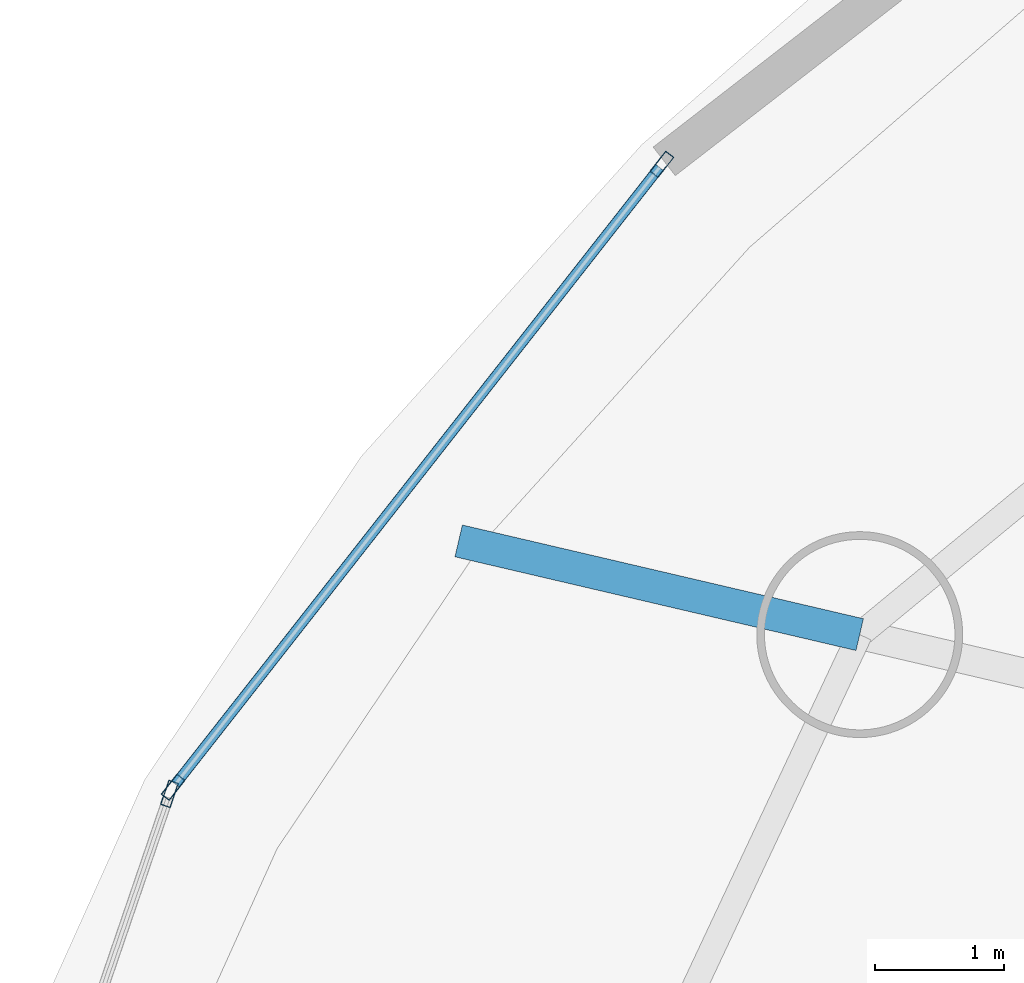
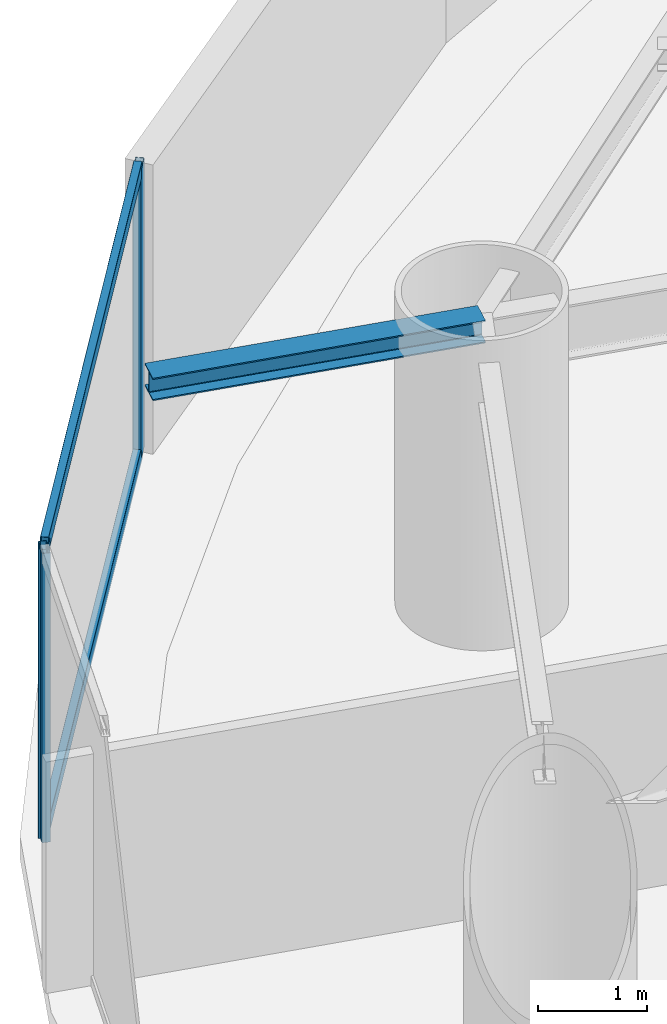
# One storey, part 11 of 23: 5 members, 1 beam, 2 elements without a shape of their own.
"""IFC4 building model written with IfcOpenShell, lengths in metres."""

from ifc_helpers import new_model, si_unit, direction, frame, origin, origin_2d, place, context, subcontext, project, spatial, hollow_rectangle, i_section, extrude, material, layer, layer_set, material_profile, profile_set, type_object, element, aggregate, save


model = new_model("IFC4")

# Units and contexts
model_context = context("Model", 3, precision=1e-05, world=origin(), true_north=direction((0.0, 1.0)))
body_context = subcontext(model_context, "Body", "Model", "MODEL_VIEW")
ifc_project = project(units=[si_unit("LENGTHUNIT", "METRE"), si_unit("AREAUNIT", "SQUARE_METRE"), si_unit("VOLUMEUNIT", "CUBIC_METRE"), si_unit("PLANEANGLEUNIT", "RADIAN"), si_unit("MASSUNIT", "GRAM", prefix="KILO")], contexts=[model_context])

# Site, building, storey
site_placement = place(None, origin())
site = spatial("IfcSite", under=ifc_project, at=site_placement, CompositionType="ELEMENT")
building_placement = place(site_placement, origin())
building = spatial("IfcBuilding", under=site, at=building_placement, Name="Bramvorn Convention Spire", CompositionType="ELEMENT")
storey_placement = place(building_placement, frame((0.0, 0.0, 65.89990234375)))
storey = spatial("IfcBuildingStorey", under=building, at=storey_placement, Name="L14", CompositionType="ELEMENT", Elevation=65.89990234375)

# Beam
ifc_material_1 = material(Name="Steel CSA G40.21 Grade 350 (350W)", Category="steel")
ifc_material_profile_1 = material_profile(ifc_material_1, i_section(OverallWidth=0.25390625, OverallDepth=0.2529296875, WebThickness=0.008544921875, FlangeThickness=0.01416015625, FilletRadius=0.011962890625, at=origin_2d()))
ifc_profile_set_1 = profile_set([ifc_material_profile_1], Name="Steel CSA G40.21 Grade 350 (350W) - W250X73")
beam_type = type_object("IfcBeamType", Name="BM-W250X73", PredefinedType="BEAM", material=ifc_profile_set_1)
beam_placement = place(storey_placement, frame((12.64111328125, 36.746337890625, 3.12353515625), z_axis=(-0.973778145797, 0.227499720367, 0.0), x_axis=(-0.227499720367, -0.973778145797, 0.0)))
element("IfcBeam", 1, at=beam_placement, inside=storey, type_object=beam_type, Name="L14 slab-edge cantilever tip beam MC08", PredefinedType="BEAM", context=body_context, shape_type="SweptSolid", body=[
    extrude(i_section(OverallWidth=0.25390625, OverallDepth=0.2529296875, WebThickness=0.008544921875, FlangeThickness=0.01416015625, FilletRadius=0.011962890625, at=origin_2d()), origin(), (0.0, 0.0, 1.0), 3.2001953125),
])

# Curtain wall, members
ifc_material_2 = material(Name="Anodised Bronze Unitised Curtain Wall", Category="aluminium")
ifc_layer = layer(ifc_material_2, 0.179931640625)
ifc_layer_set = layer_set([ifc_layer], Name="Anodised Bronze Unitised Curtain Wall - CW-HTL-FRIT")
curtain_wall_type = type_object("IfcCurtainWallType", Name="CW-HTL-FRIT", PredefinedType="USERDEFINED", material=ifc_layer_set)
curtain_wall_1_placement = place(storey_placement, origin())
curtain_wall_1 = element("IfcCurtainWall", 2, at=curtain_wall_1_placement, inside=storey, type_object=curtain_wall_type, Name="L14 fritted glass curtain wall 11", ObjectType="UNITISED CURTAIN WALL", PredefinedType="USERDEFINED")
ifc_material_3 = material(Name="Anodised Bronze Aluminium 6063-T6", Category="aluminium")
ifc_material_profile_2 = material_profile(ifc_material_3, hollow_rectangle(XDim=0.080078125, YDim=0.199951171875, WallThickness=0.00390625, InnerFilletRadius=0.0009765625, OuterFilletRadius=0.00390625, at=origin_2d()))
ifc_profile_set_2 = profile_set([ifc_material_profile_2], Name="Anodised Bronze Aluminium 6063-T6 - CWM80X200")
member_type_1 = type_object("IfcMemberType", Name="CW-MUL-180", PredefinedType="MULLION", material=ifc_profile_set_2)
member_1_placement = place(storey_placement, frame((7.30615234375, 35.560302734375, 0.0), z_axis=(0.0, 0.0, 1.0), x_axis=(-0.786700270373, 0.617335147708, 0.0)))
member_1 = element("IfcMember", 3, at=member_1_placement, type_object=member_type_1, Name="CW2 mullion 1", PredefinedType="MULLION", context=body_context, shape_type="SweptSolid", body=[
    extrude(hollow_rectangle(XDim=0.080078125, YDim=0.199951171875, WallThickness=0.00390625, InnerFilletRadius=0.0009765625, OuterFilletRadius=0.00390625, at=origin_2d()), origin(), (0.0, 0.0, 1.0), 3.25),
])
member_2_placement = place(storey_placement, frame((11.10400390625, 40.400146484375, 0.0), z_axis=(0.0, 0.0, 1.0), x_axis=(-0.786700270373, 0.617335147708, 0.0)))
member_2 = element("IfcMember", 4, at=member_2_placement, type_object=member_type_1, Name="CW2 mullion 2", PredefinedType="MULLION", context=body_context, shape_type="SweptSolid", body=[
    extrude(hollow_rectangle(XDim=0.080078125, YDim=0.199951171875, WallThickness=0.00390625, InnerFilletRadius=0.0009765625, OuterFilletRadius=0.00390625, at=origin_2d()), origin(), (0.0, 0.0, 1.0), 3.25),
])

# Curtain wall, member
curtain_wall_2_placement = place(storey_placement, origin())
curtain_wall_2 = element("IfcCurtainWall", 5, at=curtain_wall_2_placement, inside=storey, type_object=curtain_wall_type, Name="L14 fritted glass curtain wall 12", ObjectType="UNITISED CURTAIN WALL", PredefinedType="USERDEFINED")
member_3_placement = place(storey_placement, frame((7.27783203125, 35.50830078125, 0.0), z_axis=(0.0, 0.0, 1.0), x_axis=(-0.94615430856, 0.323715962525, 0.0)))
member_3 = element("IfcMember", 6, at=member_3_placement, type_object=member_type_1, Name="CW2 mullion 2", PredefinedType="MULLION", context=body_context, shape_type="SweptSolid", body=[
    extrude(hollow_rectangle(XDim=0.080078125, YDim=0.199951171875, WallThickness=0.00390625, InnerFilletRadius=0.0009765625, OuterFilletRadius=0.00390625, at=origin_2d()), origin(), (0.0, 0.0, 1.0), 3.25),
])
aggregate(curtain_wall_2, [member_3])

# Member
ifc_material_profile_3 = material_profile(ifc_material_3, hollow_rectangle(XDim=0.080078125, YDim=0.159912109375, WallThickness=0.00390625, InnerFilletRadius=0.0009765625, OuterFilletRadius=0.00390625, at=origin_2d()))
ifc_profile_set_3 = profile_set([ifc_material_profile_3], Name="Anodised Bronze Aluminium 6063-T6 - CWT80X160")
member_type_2 = type_object("IfcMemberType", Name="CW-TRN-150", PredefinedType="USERDEFINED", material=ifc_profile_set_3)
member_4_placement = place(storey_placement, frame((7.32470703125, 35.583984375, 0.030029296875), z_axis=(0.617317009378, 0.786714503447, 0.0), x_axis=(-0.786714503447, 0.617317009378, 0.0)))
member_4 = element("IfcMember", 7, at=member_4_placement, type_object=member_type_2, Name="CW2 transom 1.1", ObjectType="TRANSOM", PredefinedType="USERDEFINED", context=body_context, shape_type="SweptSolid", body=[
    extrude(hollow_rectangle(XDim=0.080078125, YDim=0.159912109375, WallThickness=0.00390625, InnerFilletRadius=0.0009765625, OuterFilletRadius=0.00390625, at=origin_2d()), origin(), (0.0, 0.0, 1.0), 6.092041015625),
])

member_5_placement = place(storey_placement, frame((7.32470703125, 35.583984375, 3.22021484375), z_axis=(0.617317009378, 0.786714503447, 0.0), x_axis=(-0.786714503447, 0.617317009378, 0.0)))
member_5 = element("IfcMember", 8, at=member_5_placement, type_object=member_type_2, Name="CW2 transom 1.2", ObjectType="TRANSOM", PredefinedType="USERDEFINED", context=body_context, shape_type="SweptSolid", body=[
    extrude(hollow_rectangle(XDim=0.080078125, YDim=0.159912109375, WallThickness=0.00390625, InnerFilletRadius=0.0009765625, OuterFilletRadius=0.00390625, at=origin_2d()), origin(), (0.0, 0.0, 1.0), 6.092041015625),
])

aggregate(curtain_wall_1, [member_1, member_2, member_4, member_5])

save(model, "model.ifc")
